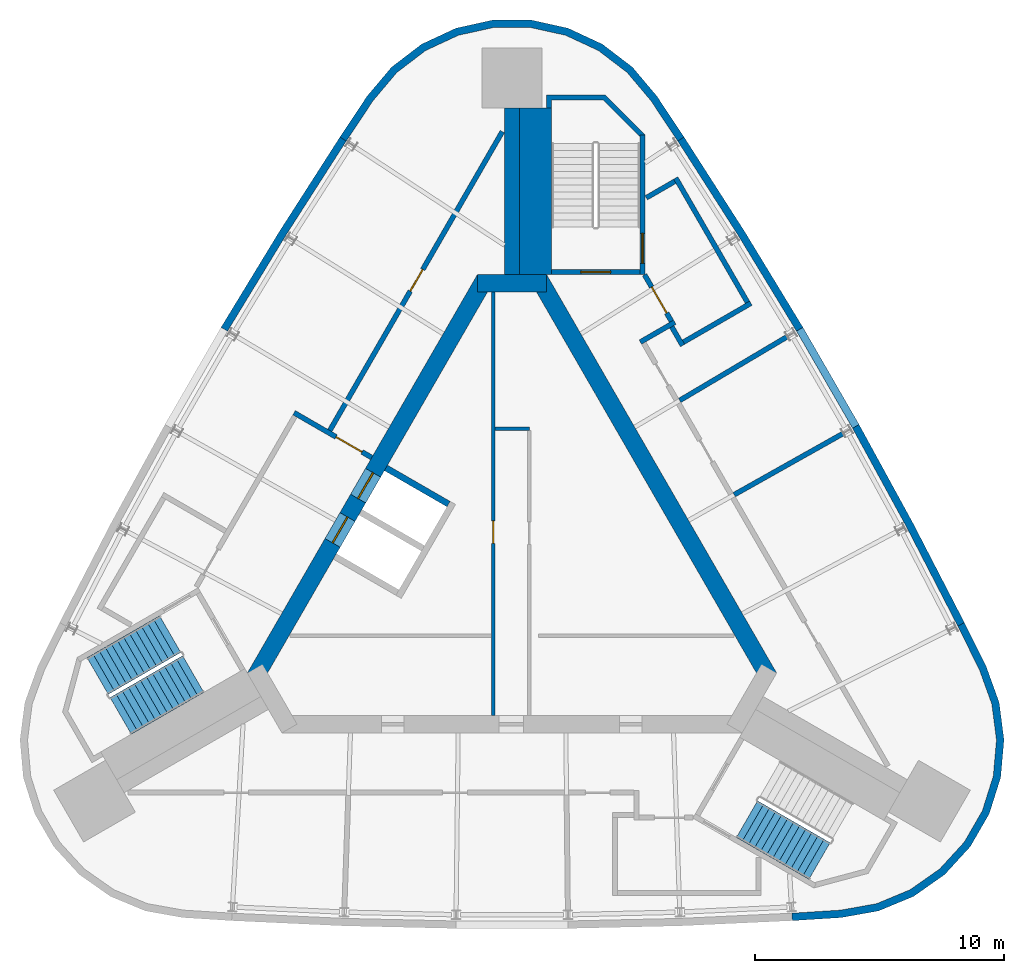
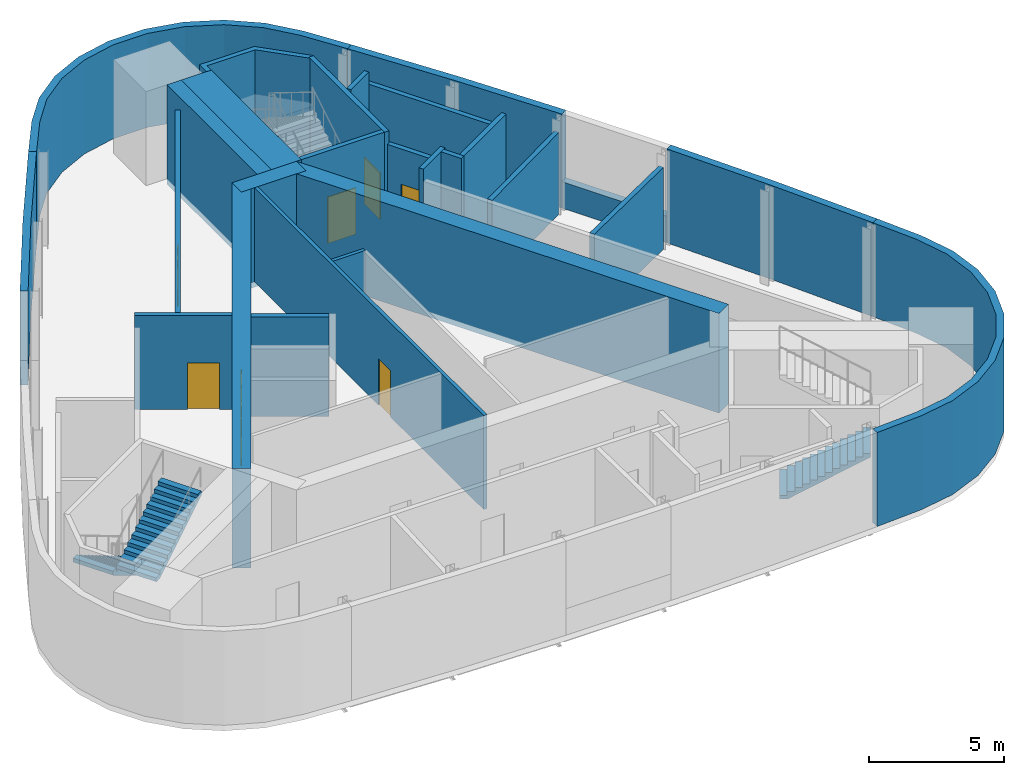
# One storey, part 5 of 7: 27 walls, 8 doors, 3 stair flights, 8 openings, 2 elements without a shape of their own.
"""IFC4 building model written with IfcOpenShell, lengths in metres."""

from ifc_helpers import new_model, si_unit, direction, frame, frame_2d, origin, place, context, subcontext, project, spatial, polyline, rectangle, outline, extrude, material, layer, layer_set, type_object, element, fill, aggregate, save


model = new_model("IFC4")

# Units and contexts
model_context = context("Model", 3, precision=1e-05, world=origin(), true_north=direction((0.0, 1.0)))
body_context = subcontext(model_context, "Body", "Model", "MODEL_VIEW")
ifc_project = project(units=[si_unit("LENGTHUNIT", "METRE"), si_unit("AREAUNIT", "SQUARE_METRE"), si_unit("VOLUMEUNIT", "CUBIC_METRE"), si_unit("PLANEANGLEUNIT", "RADIAN"), si_unit("MASSUNIT", "GRAM", prefix="KILO")], contexts=[model_context])

# Site, building, storey
site_placement = place(None, origin())
site = spatial("IfcSite", under=ifc_project, at=site_placement, CompositionType="ELEMENT")
building_placement = place(site_placement, origin())
building = spatial("IfcBuilding", under=site, at=building_placement, Name="Noor Cloister Tower", CompositionType="ELEMENT")
storey_placement = place(building_placement, frame((0.0, 0.0, 288.60009765625)))
storey = spatial("IfcBuildingStorey", under=building, at=storey_placement, Name="L73", CompositionType="ELEMENT", Elevation=288.60009765625)

# Wall
ifc_material_1 = material(Name="Concrete C50/60", Category="concrete")
ifc_layer_1 = layer(ifc_material_1, 0.60009765625)
ifc_layer_set_1 = layer_set([ifc_layer_1], Name="Buttress wall 600 C50/60")
wall_type_1 = type_object("IfcWallType", Name="Buttress wall 600 C50/60", PredefinedType="SHEAR", material=ifc_layer_set_1)
wall_1_placement = place(storey_placement, frame((0.0, 11.456298828125, -0.25), z_axis=(0.0, 0.0, 1.0), x_axis=(0.0, 1.0, 0.0)))
element("IfcWall", 1, at=wall_1_placement, inside=storey, type_object=wall_type_1, Name="Buttress wall N L73", PredefinedType="SHEAR", context=body_context, shape_type="SweptSolid", body=[
    extrude(rectangle(XDim=6.6787109375, YDim=0.60009765625, at=frame_2d((3.33935546875, 0.0))), origin(), (0.0, 0.0, 1.0), 4.5),
])

# Wall, opening, door
ifc_material_2 = material(Name="Concrete C30/37", Category="concrete")
ifc_layer_2 = layer(ifc_material_2, 0.14990234375)
ifc_layer_set_2 = layer_set([ifc_layer_2], Name="Core partition 150 C30/37")
wall_type_2 = type_object("IfcWallType", Name="Core partition 150 C30/37", PredefinedType="PARTITIONING", material=ifc_layer_set_2)
wall_2_placement = place(storey_placement, frame((-0.753662109375, 10.75634765625, 0.0), z_axis=(0.0, 0.0, 1.0), x_axis=(0.0, -1.0, 0.0)))
wall_2 = element("IfcWall", 2, at=wall_2_placement, inside=storey, type_object=wall_type_2, Name="Core room partition L73 2", PredefinedType="PARTITIONING", context=body_context, shape_type="SweptSolid", body=[
    extrude(rectangle(XDim=16.984619140625, YDim=0.14990234375, at=frame_2d((8.4921875, 0.0))), origin(), (0.0, 0.0, 1.0), 4.25),
])
opening_1_placement = place(wall_2_placement, frame((9.1845703125, 0.0, 0.0)))
opening_1 = element("IfcOpeningElement", 3, at=opening_1_placement, cuts=wall_2, Name="Opening L73-904", PredefinedType="OPENING", context=body_context, shape_type="SweptSolid", body=[
    extrude(rectangle(XDim=0.89990234375, YDim=2.10009765625, at=frame_2d((0.449951171875, 1.050048828125))), frame((0.0, 0.0849609375, 0.0), z_axis=(0.0, -1.0, 0.0), x_axis=(1.0, 0.0, 0.0)), (0.0, 0.0, 1.0), 0.169921875),
])
ifc_material_3 = material(Name="Steel", Category="steel")
door_type_1 = type_object("IfcDoorType", Name="Core door 900 x 2100 FD120", OperationType="SINGLE_SWING_LEFT", PredefinedType="DOOR", material=ifc_material_3)
door_1_placement = place(opening_1_placement, origin())
door_1 = element("IfcDoor", 4, at=door_1_placement, inside=storey, type_object=door_type_1, Name="Core door 4 L73", OperationType="SINGLE_SWING_RIGHT", OverallHeight=2.10009765625, OverallWidth=0.89990234375, PredefinedType="DOOR", context=body_context, shape_type="SweptSolid", body=[
    extrude(rectangle(XDim=0.89990234375, YDim=2.10009765625, at=frame_2d((0.449951171875, 1.050048828125))), frame((0.0, 0.02490234375, 0.0), z_axis=(0.0, -1.0, 0.0), x_axis=(1.0, 0.0, 0.0)), (0.0, 0.0, 1.0), 0.050048828125),
])
fill(opening_1, door_1)

# Walls
wall_3_placement = place(storey_placement, frame((-0.6787109375, 5.271728515625, 0.0), z_axis=(0.0, 0.0, 1.0), x_axis=(1.0, 0.0, 0.0)))
element("IfcWall", 5, at=wall_3_placement, inside=storey, type_object=wall_type_2, Name="Core room partition L73 3", PredefinedType="PARTITIONING", context=body_context, shape_type="SweptSolid", body=[
    extrude(rectangle(XDim=1.375, YDim=0.14990234375, at=frame_2d((0.6875, 0.0))), origin(), (0.0, 0.0, 1.0), 4.25),
])
ifc_material_4 = material(Name="Concrete C50/60", Category="concrete")
ifc_layer_3 = layer(ifc_material_4, 0.699951171875)
ifc_layer_set_3 = layer_set([ifc_layer_3], Name="Core wall 700 C50/60")
wall_type_3 = type_object("IfcWallType", Name="Core wall 700 C50/60", PredefinedType="SHEAR", material=ifc_layer_set_3)
wall_4_placement = place(storey_placement, frame((10.311279296875, -4.703125, -0.25), z_axis=(0.0, 0.0, 1.0), x_axis=(-0.500001446645, 0.866024568562, 0.0)))
element("IfcWall", 6, at=wall_4_placement, inside=storey, type_object=wall_type_3, Name="Core wall L73 3", PredefinedType="SHEAR", context=body_context, shape_type="SweptSolid", body=[
    extrude(rectangle(XDim=18.45751953125, YDim=0.699951171875, at=frame_2d((9.228759765625, 0.0))), origin(), (0.0, 0.0, 1.0), 4.5),
])
wall_5_placement = place(storey_placement, frame((1.3857421875, 11.1064453125, -0.25), z_axis=(0.0, 0.0, 1.0), x_axis=(-1.0, 0.0, 0.0)))
element("IfcWall", 7, at=wall_5_placement, inside=storey, type_object=wall_type_3, Name="Core wall L73 4", PredefinedType="SHEAR", context=body_context, shape_type="SweptSolid", body=[
    extrude(rectangle(XDim=2.771484375, YDim=0.699951171875, at=frame_2d((1.3857421875, 0.0))), origin(), (0.0, 0.0, 1.0), 4.5),
])

# Wall, openings, doors
wall_6_placement = place(storey_placement, frame((-1.08251953125, 11.281494140625, -0.25), z_axis=(0.0, 0.0, 1.0), x_axis=(-0.500001446645, -0.866024568562, 0.0)))
wall_6 = element("IfcWall", 8, at=wall_6_placement, inside=storey, type_object=wall_type_3, Name="Core wall L73 5", PredefinedType="SHEAR", context=body_context, shape_type="SweptSolid", body=[
    extrude(rectangle(XDim=18.45751953125, YDim=0.699951171875, at=frame_2d((9.228759765625, 0.0))), origin(), (0.0, 0.0, 1.0), 4.5),
])
opening_2_placement = place(wall_6_placement, frame((8.978759765625, 0.0, 0.25)))
opening_2 = element("IfcOpeningElement", 9, at=opening_2_placement, cuts=wall_6, Name="Opening L73-FF1", PredefinedType="OPENING", context=body_context, shape_type="SweptSolid", body=[
    extrude(rectangle(XDim=1.199951171875, YDim=2.10009765625, at=frame_2d((0.60009765625, 1.050048828125))), frame((0.0, 0.35986328125, 0.0), z_axis=(0.0, -1.0, 0.0), x_axis=(1.0, 0.0, 0.0)), (0.0, 0.0, 1.0), 0.719970703125),
])
opening_3_placement = place(wall_6_placement, frame((11.02880859375, 0.0, 0.25)))
opening_3 = element("IfcOpeningElement", 10, at=opening_3_placement, cuts=wall_6, Name="Opening L73-FF2", PredefinedType="OPENING", context=body_context, shape_type="SweptSolid", body=[
    extrude(rectangle(XDim=1.199951171875, YDim=2.10009765625, at=frame_2d((0.60009765625, 1.050048828125))), frame((0.0, 0.35986328125, 0.0), z_axis=(0.0, -1.0, 0.0), x_axis=(1.0, 0.0, 0.0)), (0.0, 0.0, 1.0), 0.719970703125),
])
ifc_material_5 = material(Name="Stainless steel", Category="steel")
door_type_2 = type_object("IfcDoorType", Name="Lift landing door 1200 x 2100", OperationType="DOUBLE_DOOR_SLIDING", PredefinedType="DOOR", material=ifc_material_5)
door_2_placement = place(opening_2_placement, origin())
door_2 = element("IfcDoor", 11, at=door_2_placement, inside=storey, type_object=door_type_2, Name="Landing door FF1 L73", OperationType="DOUBLE_DOOR_SLIDING", OverallHeight=2.10009765625, OverallWidth=1.199951171875, PredefinedType="DOOR", context=body_context, shape_type="SweptSolid", body=[
    extrude(rectangle(XDim=1.199951171875, YDim=2.10009765625, at=frame_2d((0.60009765625, 1.050048828125))), frame((0.0, 0.02490234375, 0.0), z_axis=(0.0, -1.0, 0.0), x_axis=(1.0, 0.0, 0.0)), (0.0, 0.0, 1.0), 0.050048828125),
])
fill(opening_2, door_2)
door_3_placement = place(opening_3_placement, origin())
door_3 = element("IfcDoor", 12, at=door_3_placement, inside=storey, type_object=door_type_2, Name="Landing door FF2 L73", OperationType="DOUBLE_DOOR_SLIDING", OverallHeight=2.10009765625, OverallWidth=1.199951171875, PredefinedType="DOOR", context=body_context, shape_type="SweptSolid", body=[
    extrude(rectangle(XDim=1.199951171875, YDim=2.10009765625, at=frame_2d((0.60009765625, 1.050048828125))), frame((0.0, 0.02490234375, 0.0), z_axis=(0.0, -1.0, 0.0), x_axis=(1.0, 0.0, 0.0)), (0.0, 0.0, 1.0), 0.050048828125),
])
fill(opening_3, door_3)

# Walls
ifc_material_6 = material(Name="Limestone", Category="masonry")
ifc_layer_4 = layer(ifc_material_6, 0.300048828125)
ifc_layer_set_4 = layer_set([ifc_layer_4], Name="Limestone cladding 300")
wall_type_4 = type_object("IfcWallType", Name="Limestone cladding 300", PredefinedType="NOTDEFINED", material=ifc_layer_set_4)
wall_7_placement = place(storey_placement, origin())
element("IfcWall", 13, at=wall_7_placement, inside=storey, type_object=wall_type_4, Name="Limestone pier cladding L73 2.1", PredefinedType="NOTDEFINED", context=body_context, shape_type="SweptSolid", body=[
    extrude(outline(polyline([(11.24365234375, -14.46044921875), (13.21142578125, -14.336181640625), (14.707763671875, -14.068603515625), (16.11083984375, -13.484619140625), (17.35498046875, -12.611083984375), (18.381103515625, -11.489990234375), (19.14111328125, -10.173583984375), (19.59912109375, -8.724365234375), (19.7333984375, -7.210205078125), (19.53759765625, -5.702880859375), (19.021240234375, -4.2734375), (18.14501953125, -2.507080078125), (17.876220703125, -2.640380859375), (18.744873046875, -4.391357421875), (19.244384765625, -5.77392578125), (19.431640625, -7.21630859375), (19.30322265625, -8.6650390625), (18.864990234375, -10.052001953125), (18.1376953125, -11.3115234375), (17.15576171875, -12.384521484375), (15.96533203125, -13.22021484375), (14.62255859375, -13.779052734375), (13.175537109375, -14.037841796875), (11.224853515625, -14.1611328125), (11.24365234375, -14.46044921875)])), origin(), (0.0, 0.0, 1.0), 4.25),
])
wall_8_placement = place(storey_placement, origin())
element("IfcWall", 14, at=wall_8_placement, inside=storey, type_object=wall_type_4, Name="Limestone pier cladding L73 3.1", PredefinedType="NOTDEFINED", context=body_context, shape_type="SweptSolid", body=[
    extrude(outline(polyline([(6.9013671875, 16.967529296875), (5.809814453125, 18.609619140625), (4.830078125, 19.771484375), (3.62255859375, 20.69482421875), (2.244140625, 21.33544921875), (0.760009765625, 21.66357421875), (-0.760009765625, 21.66357421875), (-2.244140625, 21.33544921875), (-3.62255859375, 20.69482421875), (-4.830078125, 19.771484375), (-5.809814453125, 18.609619140625), (-6.9013671875, 16.967529296875), (-6.6513671875, 16.801513671875), (-5.5693359375, 18.42919921875), (-4.621826171875, 19.55322265625), (-3.46630859375, 20.4365234375), (-2.1474609375, 21.049560546875), (-0.727294921875, 21.363525390625), (0.727294921875, 21.363525390625), (2.1474609375, 21.049560546875), (3.46630859375, 20.4365234375), (4.621826171875, 19.55322265625), (5.5693359375, 18.42919921875), (6.6513671875, 16.801513671875), (6.9013671875, 16.967529296875)])), origin(), (0.0, 0.0, 1.0), 4.25),
])
ifc_material_7 = material(Name="Limestone", Category="masonry")
ifc_layer_5 = layer(ifc_material_7, 0.300048828125)
ifc_layer_set_5 = layer_set([ifc_layer_5], Name="Limestone panel wall 300")
wall_type_5 = type_object("IfcWallType", Name="Limestone panel wall 300", PredefinedType="NOTDEFINED", material=ifc_layer_set_5)
wall_9_placement = place(storey_placement, origin())
element("IfcWall", 15, at=wall_9_placement, inside=storey, type_object=wall_type_5, Name="Limestone crown wall L73 1a", PredefinedType="NOTDEFINED", context=body_context, shape_type="SweptSolid", body=[
    extrude(outline(polyline([(-6.9013671875, 16.967529296875), (-9.32958984375, 13.178955078125), (-11.669189453125, 9.335205078125), (-11.4130859375, 9.17919921875), (-9.074951171875, 13.02001953125), (-6.648681640625, 16.8056640625), (-6.9013671875, 16.967529296875)])), origin(), (0.0, 0.0, 1.0), 4.25),
])
wall_10_placement = place(storey_placement, origin())
element("IfcWall", 16, at=wall_10_placement, inside=storey, type_object=wall_type_5, Name="Limestone crown wall L73 3a", PredefinedType="NOTDEFINED", context=body_context, shape_type="SweptSolid", body=[
    extrude(outline(polyline([(18.14501953125, -2.507080078125), (16.078125, 1.489990234375), (13.919189453125, 5.438232421875), (13.656005859375, 5.294189453125), (15.813232421875, 1.34912109375), (17.87841796875, -2.644775390625), (18.14501953125, -2.507080078125)])), origin(), (0.0, 0.0, 1.0), 4.25),
])
wall_11_placement = place(storey_placement, origin())
element("IfcWall", 17, at=wall_11_placement, inside=storey, type_object=wall_type_5, Name="Limestone crown wall L73 3b", PredefinedType="NOTDEFINED", context=body_context, shape_type="SweptSolid", body=[
    extrude(outline(polyline([(11.669189453125, 9.335205078125), (9.32958984375, 13.178955078125), (6.9013671875, 16.967529296875), (6.648681640625, 16.8056640625), (9.074951171875, 13.02001953125), (11.4130859375, 9.17919921875), (11.669189453125, 9.335205078125)])), origin(), (0.0, 0.0, 1.0), 4.25),
])
wall_12_placement = place(storey_placement, origin())
element("IfcWall", 18, at=wall_12_placement, inside=storey, type_object=wall_type_5, Name="Limestone crown wall L73 3 lower", PredefinedType="NOTDEFINED", context=body_context, shape_type="SweptSolid", body=[
    extrude(outline(polyline([(13.919189453125, 5.438232421875), (11.669189453125, 9.335205078125), (11.409423828125, 9.185302734375), (13.659423828125, 5.288330078125), (13.919189453125, 5.438232421875)])), origin(), (0.0, 0.0, 1.0), 1.199951171875),
])
ifc_material_8 = material(Name="Concrete C50/60", Category="concrete")
ifc_layer_6 = layer(ifc_material_8, 0.25)
ifc_layer_set_6 = layer_set([ifc_layer_6], Name="Shaft wall 250 C50/60")
wall_type_6 = type_object("IfcWallType", Name="Shaft wall 250 C50/60", PredefinedType="PARTITIONING", material=ifc_layer_set_6)
wall_13_placement = place(storey_placement, frame((-5.056396484375, 3.69873046875, -0.25), z_axis=(0.0, 0.0, 1.0), x_axis=(0.866032775405, -0.499987231761, 0.0)))
element("IfcWall", 19, at=wall_13_placement, inside=storey, type_object=wall_type_6, Name="Lift shaft wall L73 NW 3", PredefinedType="PARTITIONING", context=body_context, shape_type="SweptSolid", body=[
    extrude(rectangle(XDim=2.89990234375, YDim=0.25, at=frame_2d((1.449951171875, 0.0))), origin(), (0.0, 0.0, 1.0), 4.5),
])
ifc_material_9 = material(Name="Concrete C50/60", Category="concrete")
ifc_layer_7 = layer(ifc_material_9, 1.285888671875)
ifc_layer_set_7 = layer_set([ifc_layer_7], Name="Stair enclosure wall 1286 C50/60")
wall_type_7 = type_object("IfcWallType", Name="Stair enclosure wall 1286 C50/60", PredefinedType="SHEAR", material=ifc_layer_set_7)
wall_14_placement = place(storey_placement, frame((0.94287109375, 11.456298828125, -0.25), z_axis=(0.0, 0.0, 1.0), x_axis=(0.0, 1.0, 0.0)))
element("IfcWall", 20, at=wall_14_placement, inside=storey, type_object=wall_type_7, Name="Stair enclosure wall ST1 L73 riser side", PredefinedType="SHEAR", context=body_context, shape_type="SweptSolid", body=[
    extrude(rectangle(XDim=6.6787109375, YDim=1.28564453125, at=frame_2d((3.33935546875, 0.0))), origin(), (0.0, 0.0, 1.0), 4.5),
])

# Wall, opening, door
ifc_material_10 = material(Name="Concrete C50/60", Category="concrete")
ifc_layer_8 = layer(ifc_material_10, 0.199951171875)
ifc_layer_set_8 = layer_set([ifc_layer_8], Name="Stair enclosure wall 200 C50/60")
wall_type_8 = type_object("IfcWallType", Name="Stair enclosure wall 200 C50/60", PredefinedType="SHEAR", material=ifc_layer_set_8)
wall_15_placement = place(storey_placement, frame((5.135498046875, 11.556396484375, -0.25), z_axis=(0.0, 0.0, 1.0), x_axis=(-1.0, 0.0, 0.0)))
wall_15 = element("IfcWall", 21, at=wall_15_placement, inside=storey, type_object=wall_type_8, Name="Stair enclosure wall ST1 L73 near end", PredefinedType="SHEAR", context=body_context, shape_type="SweptSolid", body=[
    extrude(rectangle(XDim=3.5498046875, YDim=0.199951171875, at=frame_2d((1.77490234375, 0.0))), origin(), (0.0, 0.0, 1.0), 4.5),
])
opening_4_placement = place(wall_15_placement, frame((1.175048828125, 0.0, 0.25)))
opening_4 = element("IfcOpeningElement", 22, at=opening_4_placement, cuts=wall_15, Name="Opening L73-ST1L", PredefinedType="OPENING", context=body_context, shape_type="SweptSolid", body=[
    extrude(rectangle(XDim=1.199951171875, YDim=2.10009765625, at=frame_2d((0.60009765625, 1.050048828125))), frame((0.0, 0.10986328125, 0.0), z_axis=(0.0, -1.0, 0.0), x_axis=(1.0, 0.0, 0.0)), (0.0, 0.0, 1.0), 0.219970703125),
])
ifc_material_11 = material(Name="Steel", Category="steel")
door_type_3 = type_object("IfcDoorType", Name="Stair door 1200 x 2100 FD120", OperationType="SINGLE_SWING_LEFT", PredefinedType="DOOR", material=ifc_material_11)
door_4_placement = place(opening_4_placement, origin())
door_4 = element("IfcDoor", 23, at=door_4_placement, inside=storey, type_object=door_type_3, Name="Stair door ST1 L73", OperationType="SINGLE_SWING_RIGHT", OverallHeight=2.10009765625, OverallWidth=1.199951171875, PredefinedType="DOOR", context=body_context, shape_type="SweptSolid", body=[
    extrude(rectangle(XDim=1.199951171875, YDim=2.10009765625, at=frame_2d((0.60009765625, 1.050048828125))), frame((0.0, 0.02490234375, 0.0), z_axis=(0.0, -1.0, 0.0), x_axis=(1.0, 0.0, 0.0)), (0.0, 0.0, 1.0), 0.050048828125),
])
fill(opening_4, door_4)

wall_16_placement = place(storey_placement, frame((5.235595703125, 11.456298828125, -0.25), z_axis=(0.0, 0.0, 1.0), x_axis=(0.0, 1.0, 0.0)))
wall_16 = element("IfcWall", 24, at=wall_16_placement, inside=storey, type_object=wall_type_8, Name="Stair enclosure wall ST1 L73 outer side", PredefinedType="SHEAR", context=body_context, shape_type="SweptSolid", body=[
    extrude(rectangle(XDim=5.60009765625, YDim=0.199951171875, at=frame_2d((2.800048828125, 0.0))), origin(), (0.0, 0.0, 1.0), 4.5),
])
opening_5_placement = place(wall_16_placement, frame((0.449951171875, 0.0, 0.25)))
opening_5 = element("IfcOpeningElement", 25, at=opening_5_placement, cuts=wall_16, Name="Opening L73-ST1C", PredefinedType="OPENING", context=body_context, shape_type="SweptSolid", body=[
    extrude(rectangle(XDim=1.199951171875, YDim=2.10009765625, at=frame_2d((0.60009765625, 1.050048828125))), frame((0.0, 0.10986328125, 0.0), z_axis=(0.0, -1.0, 0.0), x_axis=(1.0, 0.0, 0.0)), (0.0, 0.0, 1.0), 0.219970703125),
])
door_5_placement = place(opening_5_placement, origin())
door_5 = element("IfcDoor", 26, at=door_5_placement, inside=storey, type_object=door_type_3, Name="Stair door ST1 L73", OperationType="SINGLE_SWING_LEFT", OverallHeight=2.10009765625, OverallWidth=1.199951171875, PredefinedType="DOOR", context=body_context, shape_type="SweptSolid", body=[
    extrude(rectangle(XDim=1.199951171875, YDim=2.10009765625, at=frame_2d((0.60009765625, 1.050048828125))), frame((0.0, 0.02490234375, 0.0), z_axis=(0.0, -1.0, 0.0), x_axis=(1.0, 0.0, 0.0)), (0.0, 0.0, 1.0), 0.050048828125),
])
fill(opening_5, door_5)

# Wall
ifc_material_12 = material(Name="Concrete C50/60", Category="concrete")
wall_type_9 = type_object("IfcWallType", Name="Stair far end wall C50/60", PredefinedType="SHEAR", material=ifc_material_12)
wall_17_placement = place(storey_placement, frame((0.0, 0.0, -0.25)))
element("IfcWall", 27, at=wall_17_placement, inside=storey, type_object=wall_type_9, Name="Stair enclosure wall ST1 L73 far end", PredefinedType="SHEAR", context=body_context, shape_type="SweptSolid", body=[
    extrude(outline(polyline([(5.335693359375, 17.056396484375), (3.735595703125, 18.656494140625), (1.385498046875, 18.656494140625), (1.385498046875, 18.135009765625), (1.585693359375, 18.135009765625), (1.585693359375, 18.456298828125), (3.65283203125, 18.456298828125), (5.135498046875, 16.9736328125), (5.135498046875, 17.056396484375), (5.135498046875, 17.056396484375), (5.135498046875, 17.056396484375), (5.135498046875, 17.056396484375), (5.135498046875, 17.056396484375), (5.135498046875, 17.056396484375), (5.135498046875, 17.056396484375), (5.135498046875, 17.056396484375), (5.135498046875, 17.056396484375), (5.135498046875, 17.056396484375), (5.135498046875, 17.056396484375), (5.135498046875, 17.056396484375), (5.135498046875, 17.056396484375), (5.135498046875, 17.056396484375), (5.135498046875, 17.056396484375), (5.135498046875, 17.056396484375), (5.135498046875, 17.056396484375), (5.335693359375, 17.056396484375)])), origin(), (0.0, 0.0, 1.0), 4.5),
])

# Wall, opening, door
ifc_material_13 = material(Name="Concrete block wall, 200 mm", Category="concrete")
ifc_layer_9 = layer(ifc_material_13, 0.199951171875)
ifc_layer_set_9 = layer_set([ifc_layer_9], Name="Upper floor plant room wall 200")
wall_type_10 = type_object("IfcWallType", Name="Upper floor plant room wall 200", PredefinedType="PARTITIONING", material=ifc_layer_set_9)
wall_18_placement = place(storey_placement, frame((-8.740966796875, 5.91259765625, 0.0), z_axis=(0.0, 0.0, 1.0), x_axis=(0.866017220491, -0.500014173611, 0.0)))
wall_18 = element("IfcWall", 28, at=wall_18_placement, inside=storey, type_object=wall_type_10, Name="Upper floor plant room wall 200 L73 001", PredefinedType="PARTITIONING", context=body_context, shape_type="SweptSolid", body=[
    extrude(rectangle(XDim=3.59814453125, YDim=0.199951171875, at=frame_2d((1.799072265625, 0.0))), origin(), (0.0, 0.0, 1.0), 4.25),
])
opening_6_placement = place(wall_18_placement, frame((1.947509765625, 0.0, 0.0)))
opening_6 = element("IfcOpeningElement", 29, at=opening_6_placement, cuts=wall_18, Name="Opening L73-002", PredefinedType="OPENING", context=body_context, shape_type="SweptSolid", body=[
    extrude(rectangle(XDim=1.199951171875, YDim=2.10009765625, at=frame_2d((0.60009765625, 1.050048828125))), frame((0.0, 0.10986328125, 0.0), z_axis=(0.0, -1.0, 0.0), x_axis=(1.0, 0.0, 0.0)), (0.0, 0.0, 1.0), 0.219970703125),
])
ifc_material_14 = material(Name="Timber door leaf with steel frame", Category="steel")
door_type_4 = type_object("IfcDoorType", Name="Firefighting lobby door 1200", OperationType="NOTDEFINED", PredefinedType="DOOR", material=ifc_material_14)
door_6_placement = place(opening_6_placement, origin())
door_6 = element("IfcDoor", 30, at=door_6_placement, inside=storey, type_object=door_type_4, Name="Firefighting lobby door 1200 L73-002", OperationType="SINGLE_SWING_RIGHT", OverallHeight=2.10009765625, OverallWidth=1.199951171875, PredefinedType="DOOR", context=body_context, shape_type="SweptSolid", body=[
    extrude(rectangle(XDim=1.199951171875, YDim=2.10009765625, at=frame_2d((0.60009765625, 1.050048828125))), frame((0.0, 0.02490234375, 0.0), z_axis=(0.0, -1.0, 0.0), x_axis=(1.0, 0.0, 0.0)), (0.0, 0.0, 1.0), 0.050048828125),
])
fill(opening_6, door_6)

wall_19_placement = place(storey_placement, frame((-7.30712890625, 5.2001953125, 0.0), z_axis=(0.0, 0.0, 1.0), x_axis=(0.49999780173, 0.866026672953, 0.0)))
wall_19 = element("IfcWall", 31, at=wall_19_placement, inside=storey, type_object=wall_type_10, Name="Upper floor plant room wall 200 L73 004", PredefinedType="PARTITIONING", context=body_context, shape_type="SweptSolid", body=[
    extrude(rectangle(XDim=13.8408203125, YDim=0.199951171875, at=frame_2d((6.92041015625, 0.0))), origin(), (0.0, 0.0, 1.0), 3.701904296875),
])
opening_7_placement = place(wall_19_placement, frame((6.453857421875, 0.0, 0.0)))
opening_7 = element("IfcOpeningElement", 32, at=opening_7_placement, cuts=wall_19, Name="Opening L73-001", PredefinedType="OPENING", context=body_context, shape_type="SweptSolid", body=[
    extrude(rectangle(XDim=1.0, YDim=2.10009765625, at=frame_2d((0.5, 1.050048828125))), frame((0.0, 0.10986328125, 0.0), z_axis=(0.0, -1.0, 0.0), x_axis=(1.0, 0.0, 0.0)), (0.0, 0.0, 1.0), 0.219970703125),
])
ifc_material_15 = material(Name="Timber door leaf with steel frame", Category="steel")
door_type_5 = type_object("IfcDoorType", Name="Plant room door 1000", OperationType="NOTDEFINED", PredefinedType="DOOR", material=ifc_material_15)
door_7_placement = place(opening_7_placement, origin())
door_7 = element("IfcDoor", 33, at=door_7_placement, inside=storey, type_object=door_type_5, Name="Plant room door 1000 L73-001", OperationType="SINGLE_SWING_RIGHT", OverallHeight=2.10009765625, OverallWidth=1.0, PredefinedType="DOOR", context=body_context, shape_type="SweptSolid", body=[
    extrude(rectangle(XDim=1.0, YDim=2.10009765625, at=frame_2d((0.5, 1.050048828125))), frame((0.0, 0.02490234375, 0.0), z_axis=(0.0, -1.0, 0.0), x_axis=(1.0, 0.0, 0.0)), (0.0, 0.0, 1.0), 0.050048828125),
])
fill(opening_7, door_7)

# Walls
wall_20_placement = place(storey_placement, frame((6.407958984375, 9.357666015625, 0.0), z_axis=(0.0, 0.0, 1.0), x_axis=(0.499958279983, -0.866049489508, 0.0)))
element("IfcWall", 34, at=wall_20_placement, inside=storey, type_object=wall_type_10, Name="Upper floor plant room wall 200 L73 016", PredefinedType="PARTITIONING", context=body_context, shape_type="SweptSolid", body=[
    extrude(rectangle(XDim=0.8662109375, YDim=0.199951171875, at=frame_2d((0.43310546875, 0.0))), origin(), (0.0, 0.0, 1.0), 4.25),
])
wall_21_placement = place(storey_placement, frame((5.147216796875, 8.7451171875, 0.0), z_axis=(0.0, 0.0, 1.0), x_axis=(0.865987117328, 0.500066308224, 0.0)))
element("IfcWall", 35, at=wall_21_placement, inside=storey, type_object=wall_type_10, Name="Upper floor plant room wall 200 L73 017", PredefinedType="PARTITIONING", context=body_context, shape_type="SweptSolid", body=[
    extrude(rectangle(XDim=1.597900390625, YDim=0.199951171875, at=frame_2d((0.798828125, 0.0))), origin(), (0.0, 0.0, 1.0), 4.25),
])

# Wall, opening, door
wall_22_placement = place(storey_placement, frame((6.39453125, 9.580810546875, 0.0), z_axis=(0.0, 0.0, 1.0), x_axis=(-0.500003735859, 0.866023246874, 0.0)))
wall_22 = element("IfcWall", 36, at=wall_22_placement, inside=storey, type_object=wall_type_10, Name="Upper floor plant room wall 200 L73 018", PredefinedType="PARTITIONING", context=body_context, shape_type="SweptSolid", body=[
    extrude(rectangle(XDim=2.15380859375, YDim=0.199951171875, at=frame_2d((1.076904296875, 0.0))), origin(), (0.0, 0.0, 1.0), 3.701904296875),
])
opening_8_placement = place(wall_22_placement, frame((0.383056640625, 0.0, 0.0)))
opening_8 = element("IfcOpeningElement", 37, at=opening_8_placement, cuts=wall_22, Name="Opening L73-011", PredefinedType="OPENING", context=body_context, shape_type="SweptSolid", body=[
    extrude(rectangle(XDim=1.199951171875, YDim=2.10009765625, at=frame_2d((0.60009765625, 1.050048828125))), frame((0.0, 0.10986328125, 0.0), z_axis=(0.0, -1.0, 0.0), x_axis=(1.0, 0.0, 0.0)), (0.0, 0.0, 1.0), 0.219970703125),
])
ifc_material_16 = material(Name="Timber door leaf with steel frame", Category="steel")
door_type_6 = type_object("IfcDoorType", Name="Protected lobby door 1200", OperationType="NOTDEFINED", PredefinedType="DOOR", material=ifc_material_16)
door_8_placement = place(opening_8_placement, origin())
door_8 = element("IfcDoor", 38, at=door_8_placement, inside=storey, type_object=door_type_6, Name="Protected lobby door 1200 L73-011", OperationType="SINGLE_SWING_LEFT", OverallHeight=2.10009765625, OverallWidth=1.199951171875, PredefinedType="DOOR", context=body_context, shape_type="SweptSolid", body=[
    extrude(rectangle(XDim=1.199951171875, YDim=2.10009765625, at=frame_2d((0.60009765625, 1.050048828125))), frame((0.0, 0.02490234375, 0.0), z_axis=(0.0, -1.0, 0.0), x_axis=(1.0, 0.0, 0.0)), (0.0, 0.0, 1.0), 0.050048828125),
])
fill(opening_8, door_8)

# Walls
for number, where, z_axis, x_axis, name in (
    (39, (8.911376953125, 2.623779296875, 0.0), (0.0, 0.0, 1.0), (0.871756434121, 0.48993950603, 0.0), "Upper floor plant room wall 200 L73 020"),
    (40, (6.72802734375, 6.405517578125, 0.0), (0.0, 0.0, 1.0), (0.860167296251, 0.510011982664, 0.0), "Upper floor plant room wall 200 L73 021"),
):
    element("IfcWall", number, at=place(storey_placement, frame(where, z_axis=z_axis, x_axis=x_axis)), inside=storey, type_object=wall_type_10, Name=name, PredefinedType="PARTITIONING", context=body_context, shape_type="SweptSolid", body=[
        extrude(rectangle(XDim=5.04443359375, YDim=0.199951171875, at=frame_2d((2.522216796875, 0.0))), origin(), (0.0, 0.0, 1.0), 3.701904296875),
    ])
wall_23_placement = place(storey_placement, frame((6.877685546875, 8.743896484375, 0.0), z_axis=(0.0, 0.0, 1.0), x_axis=(0.866025387892, 0.500000027526, 0.0)))
element("IfcWall", 41, at=wall_23_placement, inside=storey, type_object=wall_type_10, Name="Upper floor plant room wall 200 L73 022", PredefinedType="PARTITIONING", context=body_context, shape_type="SweptSolid", body=[
    extrude(rectangle(XDim=3.12158203125, YDim=0.199951171875, at=frame_2d((1.560791015625, 0.0))), origin(), (0.0, 0.0, 1.0), 4.25),
])
wall_24_placement = place(storey_placement, frame((9.444580078125, 10.34130859375, 0.0), z_axis=(0.0, 0.0, 1.0), x_axis=(-0.499996461177, 0.866027446915, 0.0)))
element("IfcWall", 42, at=wall_24_placement, inside=storey, type_object=wall_type_10, Name="Upper floor plant room wall 200 L73 023", PredefinedType="PARTITIONING", context=body_context, shape_type="SweptSolid", body=[
    extrude(rectangle(XDim=5.7587890625, YDim=0.199951171875, at=frame_2d((2.87939453125, 0.0))), origin(), (0.0, 0.0, 1.0), 3.701904296875),
])
wall_25_placement = place(storey_placement, frame((6.528564453125, 15.19189453125, 0.0), z_axis=(0.0, 0.0, 1.0), x_axis=(-0.866117824122, -0.499839889103, 0.0)))
element("IfcWall", 43, at=wall_25_placement, inside=storey, type_object=wall_type_10, Name="Upper floor plant room wall 200 L73 024", PredefinedType="PARTITIONING", context=body_context, shape_type="SweptSolid", body=[
    extrude(rectangle(XDim=1.31982421875, YDim=0.199951171875, at=frame_2d((0.659912109375, 0.0))), origin(), (0.0, 0.0, 1.0), 4.25),
])

# Stair, stair flights
ifc_material_17 = material(Name="Concrete C40/50", Category="concrete")
stair_type = type_object("IfcStairType", Name="Exit stair 26 risers", PredefinedType="HALF_TURN_STAIR", material=ifc_material_17)
stair_1_placement = place(storey_placement, origin())
stair_1 = element("IfcStair", 44, at=stair_1_placement, inside=storey, type_object=stair_type, Name="Exit stair ST2 L73", PredefinedType="HALF_TURN_STAIR")
ifc_material_18 = material(Name="Concrete C40/50", Category="concrete")
stair_flight_type = type_object("IfcStairFlightType", Name="Exit stair flight", PredefinedType="STRAIGHT", material=ifc_material_18)
stair_flight_1_placement = place(storey_placement, frame((-13.709716796875, -2.966796875, 0.0), z_axis=(0.0, 0.0, 1.0), x_axis=(-0.866025403784, -0.5, 0.0)))
stair_flight_1 = element("IfcStairFlight", 45, at=stair_flight_1_placement, type_object=stair_flight_type, Name="ST2 flight 1", NumberOfRisers=13, NumberOfTreads=12, PredefinedType="STRAIGHT", RiserHeight=0.173076923, TreadLength=0.28, context=body_context, shape_type="SweptSolid", body=[
    extrude(outline(polyline([(0.0, 0.0), (0.0, 0.173095703125), (0.280029296875, 0.173095703125), (0.280029296875, 0.34619140625), (0.56005859375, 0.34619140625), (0.56005859375, 0.519287109375), (0.840087890625, 0.519287109375), (0.840087890625, 0.6923828125), (1.1201171875, 0.6923828125), (1.1201171875, 0.865478515625), (1.39990234375, 0.865478515625), (1.39990234375, 1.03857421875), (1.679931640625, 1.03857421875), (1.679931640625, 1.21142578125), (1.9599609375, 1.21142578125), (1.9599609375, 1.384521484375), (2.239990234375, 1.384521484375), (2.239990234375, 1.5576171875), (2.52001953125, 1.5576171875), (2.52001953125, 1.730712890625), (2.800048828125, 1.730712890625), (2.800048828125, 1.90380859375), (3.080078125, 1.90380859375), (3.080078125, 2.076904296875), (3.360107421875, 2.076904296875), (3.360107421875, 2.25), (3.360107421875, 1.900634765625), (0.28515625, 0.0), (0.0, 0.0)])), frame((0.0, 0.85009765625, 0.0), z_axis=(0.0, -1.0, 0.0), x_axis=(1.0, 0.0, 0.0)), (0.0, 0.0, 1.0), 1.699951171875),
])
stair_flight_2_placement = place(storey_placement, frame((-15.694580078125, -6.248779296875, 2.25), z_axis=(0.0, 0.0, 1.0), x_axis=(0.866025403784, 0.5, 0.0)))
stair_flight_2 = element("IfcStairFlight", 46, at=stair_flight_2_placement, type_object=stair_flight_type, Name="ST2 flight 2", NumberOfRisers=13, NumberOfTreads=12, PredefinedType="STRAIGHT", RiserHeight=0.173076923, TreadLength=0.28, context=body_context, shape_type="SweptSolid", body=[
    extrude(outline(polyline([(0.0, 0.0), (0.0, 0.173095703125), (0.280029296875, 0.173095703125), (0.280029296875, 0.34619140625), (0.56005859375, 0.34619140625), (0.56005859375, 0.519287109375), (0.840087890625, 0.519287109375), (0.840087890625, 0.6923828125), (1.1201171875, 0.6923828125), (1.1201171875, 0.865478515625), (1.39990234375, 0.865478515625), (1.39990234375, 1.03857421875), (1.679931640625, 1.03857421875), (1.679931640625, 1.21142578125), (1.9599609375, 1.21142578125), (1.9599609375, 1.384521484375), (2.239990234375, 1.384521484375), (2.239990234375, 1.5576171875), (2.52001953125, 1.5576171875), (2.52001953125, 1.730712890625), (2.800048828125, 1.730712890625), (2.800048828125, 1.90380859375), (3.080078125, 1.90380859375), (3.080078125, 2.076904296875), (3.360107421875, 2.076904296875), (3.360107421875, 2.25), (3.360107421875, 1.900634765625), (0.28515625, 0.0), (0.0, 0.0)])), frame((0.0, 0.85009765625, 0.0), z_axis=(0.0, -1.0, 0.0), x_axis=(1.0, 0.0, 0.0)), (0.0, 0.0, 1.0), 1.699951171875),
])
aggregate(stair_1, [stair_flight_1, stair_flight_2])

# Stair, stair flight
stair_2_placement = place(storey_placement, origin())
stair_2 = element("IfcStair", 47, at=stair_2_placement, inside=storey, type_object=stair_type, Name="Exit stair ST3 L73", PredefinedType="HALF_TURN_STAIR")
stair_flight_3_placement = place(storey_placement, frame((9.424072265625, -10.3896484375, 0.0), z_axis=(0.0, 0.0, 1.0), x_axis=(0.866025403784, -0.5, 0.0)))
stair_flight_3 = element("IfcStairFlight", 48, at=stair_flight_3_placement, type_object=stair_flight_type, Name="ST3 flight 1", NumberOfRisers=13, NumberOfTreads=12, PredefinedType="STRAIGHT", RiserHeight=0.173076923, TreadLength=0.28, context=body_context, shape_type="SweptSolid", body=[
    extrude(outline(polyline([(0.0, 0.0), (0.0, 0.173095703125), (0.280029296875, 0.173095703125), (0.280029296875, 0.34619140625), (0.56005859375, 0.34619140625), (0.56005859375, 0.519287109375), (0.840087890625, 0.519287109375), (0.840087890625, 0.6923828125), (1.1201171875, 0.6923828125), (1.1201171875, 0.865478515625), (1.39990234375, 0.865478515625), (1.39990234375, 1.03857421875), (1.679931640625, 1.03857421875), (1.679931640625, 1.21142578125), (1.9599609375, 1.21142578125), (1.9599609375, 1.384521484375), (2.239990234375, 1.384521484375), (2.239990234375, 1.5576171875), (2.52001953125, 1.5576171875), (2.52001953125, 1.730712890625), (2.800048828125, 1.730712890625), (2.800048828125, 1.90380859375), (3.080078125, 1.90380859375), (3.080078125, 2.076904296875), (3.360107421875, 2.076904296875), (3.360107421875, 2.25), (3.360107421875, 1.900634765625), (0.28515625, 0.0), (0.0, 0.0)])), frame((0.0, 0.85009765625, 0.0), z_axis=(0.0, -1.0, 0.0), x_axis=(1.0, 0.0, 0.0)), (0.0, 0.0, 1.0), 1.699951171875),
])
aggregate(stair_2, [stair_flight_3])

save(model, "model.ifc")
